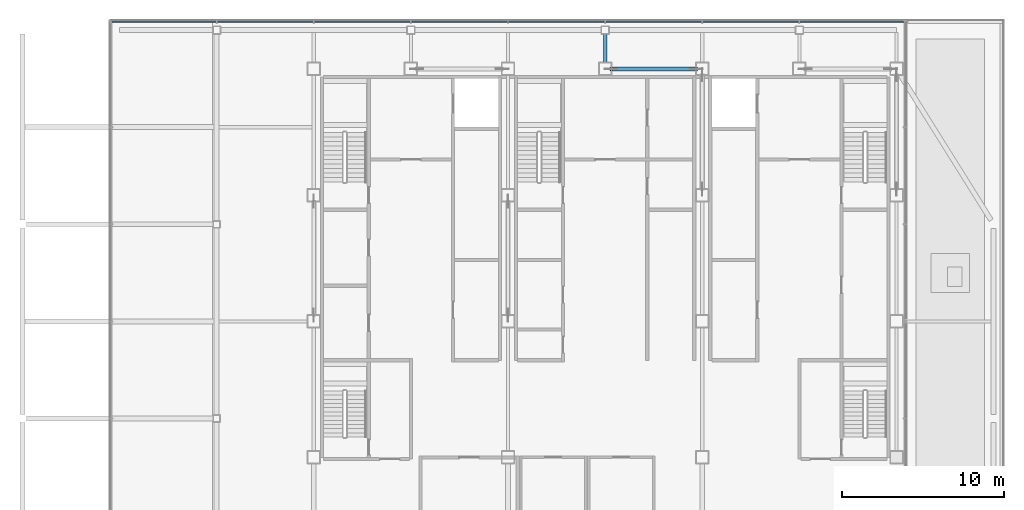
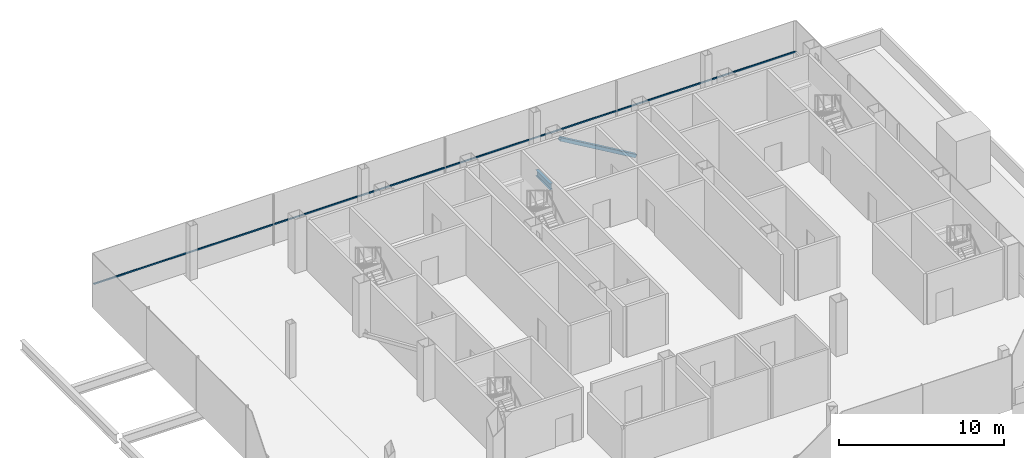
# One storey, part 10 of 17: 2 members, 1 beam, 1 element without a shape of its own.
"""IFC4 building model written with IfcOpenShell, lengths in metres."""

from ifc_helpers import new_model, si_unit, direction, frame, origin, origin_2d, place, context, subcontext, project, spatial, rectangle, hollow_rectangle, i_section, extrude, material, material_profile, profile_set, type_object, element, aggregate, save


model = new_model("IFC4")

# Units and contexts
model_context = context("Model", 3, precision=1e-05, world=origin(), true_north=direction((0.0, 1.0)))
body_context = subcontext(model_context, "Body", "Model", "MODEL_VIEW")
ifc_project = project(units=[si_unit("LENGTHUNIT", "METRE"), si_unit("AREAUNIT", "SQUARE_METRE"), si_unit("VOLUMEUNIT", "CUBIC_METRE"), si_unit("PLANEANGLEUNIT", "RADIAN"), si_unit("MASSUNIT", "GRAM", prefix="KILO")], contexts=[model_context])

# Site, building, storey
site_placement = place(None, origin())
site = spatial("IfcSite", under=ifc_project, at=site_placement, CompositionType="ELEMENT")
building_placement = place(site_placement, origin())
building = spatial("IfcBuilding", under=site, at=building_placement, Name="Sorahane Residences", CompositionType="ELEMENT")
storey_placement = place(building_placement, frame((0.0, 0.0, 341.800048828125)))
storey = spatial("IfcBuildingStorey", under=building, at=storey_placement, Name="L81", CompositionType="ELEMENT", Elevation=341.800048828125)

# Member
ifc_material_1 = material(Name="Steel Q355B", Category="steel")
ifc_material_profile_1 = material_profile(ifc_material_1, hollow_rectangle(XDim=0.25, YDim=0.25, WallThickness=0.011962890625, InnerFilletRadius=0.006103515625, OuterFilletRadius=0.01806640625, at=origin_2d()), Name="RHS 250x250x12")
ifc_profile_set_1 = profile_set([ifc_material_profile_1], Name="Steel Q355B")
member_type_1 = type_object("IfcMemberType", Name="Core brace RHS 250x250x12 Q355B", PredefinedType="BRACE", material=ifc_profile_set_1)
member_1_placement = place(storey_placement, frame((29.637939453125, 45.60009765625, 0.102783203125), z_axis=(-0.862574842184, 0.0, 0.505929482864), x_axis=(0.0, -1.0, 0.0)))
element("IfcMember", 1, at=member_1_placement, inside=storey, type_object=member_type_1, Name="Core brace L81 y45.6-4", PredefinedType="BRACE", context=body_context, shape_type="SweptSolid", body=[
    extrude(hollow_rectangle(XDim=0.25, YDim=0.25, WallThickness=0.011962890625, InnerFilletRadius=0.006103515625, OuterFilletRadius=0.01806640625, at=origin_2d()), origin(), (0.0, 0.0, 1.0), 6.116455078125),
])

# Curtain wall, member
ifc_material_2 = material(Name="Dark low-e glass and black anodised aluminium", Category="aluminium")
curtain_wall_type = type_object("IfcCurtainWallType", Name="Curtain wall CW-6 Crown unitised wall", PredefinedType="NOTDEFINED", material=ifc_material_2)
curtain_wall_placement = place(storey_placement, origin())
curtain_wall = element("IfcCurtainWall", 2, at=curtain_wall_placement, inside=storey, type_object=curtain_wall_type, Name="CW-6 curtain wall L81 N1", PredefinedType="NOTDEFINED")
ifc_material_3 = material(Name="Black anodised aluminium", Category="aluminium")
ifc_material_profile_2 = material_profile(ifc_material_3, rectangle(XDim=0.10009765625, YDim=0.06005859375, at=origin_2d()), Name="Curtain wall transom CW-6 black anodised aluminium 60x100")
ifc_profile_set_2 = profile_set([ifc_material_profile_2], Name="Black anodised aluminium")
member_type_2 = type_object("IfcMemberType", Name="Curtain wall transom CW-6 black anodised aluminium 60x100", PredefinedType="USERDEFINED", material=ifc_profile_set_2)
member_2_placement = place(storey_placement, frame((42.550048828125, 48.530029296875, 1.5), z_axis=(-1.0, 0.0, 0.0), x_axis=(0.0, -1.0, 0.0)))
member_2 = element("IfcMember", 3, at=member_2_placement, type_object=member_type_2, Name="CW-6 transom L81 N1", ObjectType="TRANSOM", PredefinedType="USERDEFINED", context=body_context, shape_type="SweptSolid", body=[
    extrude(rectangle(XDim=0.10009765625, YDim=0.06005859375, at=origin_2d()), origin(), (0.0, 0.0, 1.0), 49.10009765625),
])
aggregate(curtain_wall, [member_2])

# Beam
ifc_material_4 = material(Name="Steel Q355B", Category="steel")
ifc_material_profile_3 = material_profile(ifc_material_4, i_section(OverallWidth=0.199951171875, OverallDepth=0.449951171875, WebThickness=0.009033203125, FlangeThickness=0.013916015625, FilletRadius=0.02001953125, at=origin_2d()), Name="HN 450x200x9x14")
ifc_profile_set_3 = profile_set([ifc_material_profile_3], Name="Steel Q355B")
beam_type = type_object("IfcBeamType", Name="Steel floor beam HN 450x200x9x14 Q355B", PredefinedType="BEAM", material=ifc_profile_set_3)
beam_placement = place(storey_placement, frame((24.0, 46.0, -0.47509765625), z_axis=(0.0, 1.0, 0.0), x_axis=(-1.0, 0.0, 0.0)))
element("IfcBeam", 4, at=beam_placement, inside=storey, type_object=beam_type, Name="Beam L81 027", PredefinedType="BEAM", context=body_context, shape_type="SweptSolid", body=[
    extrude(i_section(OverallWidth=0.199951171875, OverallDepth=0.449951171875, WebThickness=0.009033203125, FlangeThickness=0.013916015625, FilletRadius=0.02001953125, at=origin_2d()), origin(), (0.0, 0.0, 1.0), 1.75),
])

save(model, "model.ifc")
